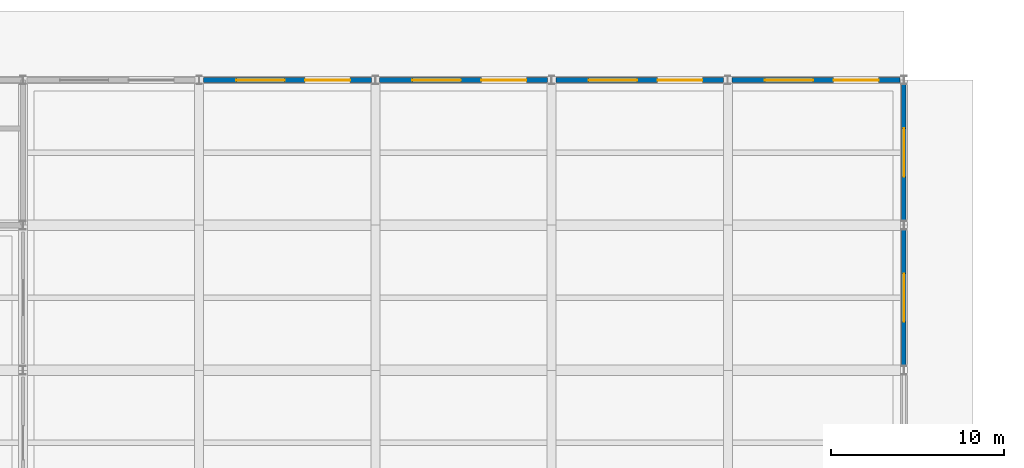
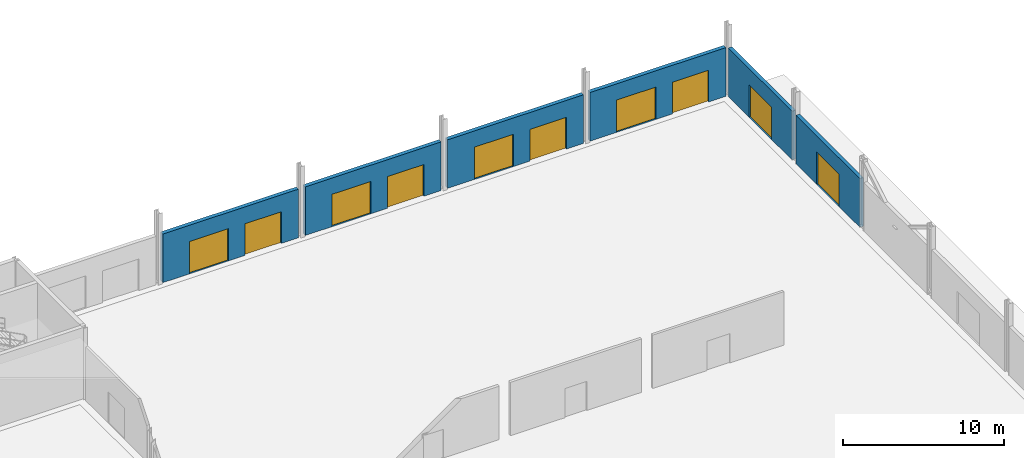
# One storey, part 99 of 124: 10 doors, 6 walls, 10 openings.
"""IFC4 building model written with IfcOpenShell, lengths in metres."""

from ifc_helpers import new_model, si_unit, direction, frame, frame_2d, origin, place, context, subcontext, project, spatial, rectangle, extrude, material, layer, layer_set, type_object, element, fill, save


model = new_model("IFC4")

# Units and contexts
model_context = context("Model", 3, precision=1e-05, world=origin(), true_north=direction((0.0, 1.0)))
body_context = subcontext(model_context, "Body", "Model", "MODEL_VIEW")
ifc_project = project(units=[si_unit("LENGTHUNIT", "METRE"), si_unit("AREAUNIT", "SQUARE_METRE"), si_unit("VOLUMEUNIT", "CUBIC_METRE"), si_unit("PLANEANGLEUNIT", "RADIAN"), si_unit("MASSUNIT", "GRAM", prefix="KILO")], contexts=[model_context])

# Site, building, storey
site_placement = place(None, origin())
site = spatial("IfcSite", under=ifc_project, at=site_placement, CompositionType="ELEMENT")
building_placement = place(site_placement, origin())
building = spatial("IfcBuilding", under=site, at=building_placement, Name="Brelvane Convention Centre", CompositionType="ELEMENT")
storey_placement = place(building_placement, origin())
storey = spatial("IfcBuildingStorey", under=building, at=storey_placement, Name="L00", CompositionType="ELEMENT", Elevation=0.0)

# Wall, openings, doors
ifc_material_1 = material(Name="Insulated Autoclaved Aerated Concrete Block Grade 1", Category="concrete")
ifc_layer_1 = layer(ifc_material_1, 0.280029296875)
ifc_layer_set_1 = layer_set([ifc_layer_1], Name="Insulated Autoclaved Aerated Concrete Block Grade 1")
wall_type_1 = type_object("IfcWallType", Name="Exterior Wall EW-01", PredefinedType="STANDARD", material=ifc_layer_set_1)
wall_1_placement = place(storey_placement, frame((183.840087890625, 144.0, 0.0), z_axis=(0.0, 0.0, 1.0), x_axis=(1.0, 0.0, 0.0)))
wall_1 = element("IfcWall", 1, at=wall_1_placement, inside=storey, type_object=wall_type_1, Name="Exterior Wall L00 V3N-L00-2", PredefinedType="STANDARD", context=body_context, shape_type="SweptSolid", body=[
    extrude(rectangle(XDim=9.719970703125, YDim=0.280029296875, at=frame_2d((4.85986328125, 0.0))), origin(), (0.0, 0.0, 1.0), 3.679931640625),
])
opening_1_placement = place(wall_1_placement, frame((1.905029296875, 0.0, 0.0)))
opening_1 = element("IfcOpeningElement", 2, at=opening_1_placement, cuts=wall_1, Name="Opening DR-EX-02", PredefinedType="OPENING", context=body_context, shape_type="SweptSolid", body=[
    extrude(rectangle(XDim=2.800048828125, YDim=2.449951171875, at=frame_2d((1.39990234375, 1.22509765625))), frame((0.0, 0.14990234375, 0.0), z_axis=(0.0, -1.0, 0.0), x_axis=(1.0, 0.0, 0.0)), (0.0, 0.0, 1.0), 0.300048828125),
])
opening_2_placement = place(wall_1_placement, frame((5.89306640625, 0.0, 0.0)))
opening_2 = element("IfcOpeningElement", 3, at=opening_2_placement, cuts=wall_1, Name="Opening DR-EX-03", PredefinedType="OPENING", context=body_context, shape_type="SweptSolid", body=[
    extrude(rectangle(XDim=2.60009765625, YDim=2.39990234375, at=frame_2d((1.300048828125, 1.199951171875))), frame((0.0, 0.14990234375, 0.0), z_axis=(0.0, -1.0, 0.0), x_axis=(1.0, 0.0, 0.0)), (0.0, 0.0, 1.0), 0.300048828125),
])
ifc_material_2 = material(Name="Anodised Aluminium Alloy 6063-T6", Category="aluminium")
door_type_1 = type_object("IfcDoorType", Name="Exterior Door DR-EX-02", OperationType="NOTDEFINED", PredefinedType="DOOR", material=ifc_material_2)
door_1_placement = place(opening_1_placement, origin())
door_1 = element("IfcDoor", 4, at=door_1_placement, inside=storey, type_object=door_type_1, Name="Final Exit Door BALL-N2A (DR-EX-02)", OperationType="DOUBLE_DOOR_SINGLE_SWING", OverallHeight=2.449951171875, OverallWidth=2.800048828125, PredefinedType="DOOR", context=body_context, shape_type="SweptSolid", body=[
    extrude(rectangle(XDim=2.800048828125, YDim=2.449951171875, at=frame_2d((1.39990234375, 1.22509765625))), frame((0.0, 0.02490234375, 0.0), z_axis=(0.0, -1.0, 0.0), x_axis=(1.0, 0.0, 0.0)), (0.0, 0.0, 1.0), 0.050048828125),
])
fill(opening_1, door_1)
ifc_material_3 = material(Name="Anodised Aluminium Alloy 6063-T6", Category="aluminium")
door_type_2 = type_object("IfcDoorType", Name="Exterior Door DR-EX-03", OperationType="NOTDEFINED", PredefinedType="DOOR", material=ifc_material_3)
door_2_placement = place(opening_2_placement, origin())
door_2 = element("IfcDoor", 5, at=door_2_placement, inside=storey, type_object=door_type_2, Name="Final Exit Door BALL-N2B (DR-EX-03)", OperationType="DOUBLE_DOOR_SINGLE_SWING", OverallHeight=2.39990234375, OverallWidth=2.60009765625, PredefinedType="DOOR", context=body_context, shape_type="SweptSolid", body=[
    extrude(rectangle(XDim=2.60009765625, YDim=2.39990234375, at=frame_2d((1.300048828125, 1.199951171875))), frame((0.0, 0.02490234375, 0.0), z_axis=(0.0, -1.0, 0.0), x_axis=(1.0, 0.0, 0.0)), (0.0, 0.0, 1.0), 0.050048828125),
])
fill(opening_2, door_2)

wall_2_placement = place(storey_placement, frame((194.0400390625, 144.0, 0.0), z_axis=(0.0, 0.0, 1.0), x_axis=(1.0, 0.0, 0.0)))
wall_2 = element("IfcWall", 6, at=wall_2_placement, inside=storey, type_object=wall_type_1, Name="Exterior Wall L00 V3N-L00-3", PredefinedType="STANDARD", context=body_context, shape_type="SweptSolid", body=[
    extrude(rectangle(XDim=9.719970703125, YDim=0.280029296875, at=frame_2d((4.85986328125, 0.0))), origin(), (0.0, 0.0, 1.0), 3.679931640625),
])
opening_3_placement = place(wall_2_placement, frame((1.905029296875, 0.0, 0.0)))
opening_3 = element("IfcOpeningElement", 7, at=opening_3_placement, cuts=wall_2, Name="Opening DR-EX-02", PredefinedType="OPENING", context=body_context, shape_type="SweptSolid", body=[
    extrude(rectangle(XDim=2.800048828125, YDim=2.449951171875, at=frame_2d((1.39990234375, 1.22509765625))), frame((0.0, 0.14990234375, 0.0), z_axis=(0.0, -1.0, 0.0), x_axis=(1.0, 0.0, 0.0)), (0.0, 0.0, 1.0), 0.300048828125),
])
opening_4_placement = place(wall_2_placement, frame((5.89306640625, 0.0, 0.0)))
opening_4 = element("IfcOpeningElement", 8, at=opening_4_placement, cuts=wall_2, Name="Opening DR-EX-03", PredefinedType="OPENING", context=body_context, shape_type="SweptSolid", body=[
    extrude(rectangle(XDim=2.60009765625, YDim=2.39990234375, at=frame_2d((1.300048828125, 1.199951171875))), frame((0.0, 0.14990234375, 0.0), z_axis=(0.0, -1.0, 0.0), x_axis=(1.0, 0.0, 0.0)), (0.0, 0.0, 1.0), 0.300048828125),
])
door_3_placement = place(opening_3_placement, origin())
door_3 = element("IfcDoor", 9, at=door_3_placement, inside=storey, type_object=door_type_1, Name="Final Exit Door BALL-N3A (DR-EX-02)", OperationType="DOUBLE_DOOR_SINGLE_SWING", OverallHeight=2.449951171875, OverallWidth=2.800048828125, PredefinedType="DOOR", context=body_context, shape_type="SweptSolid", body=[
    extrude(rectangle(XDim=2.800048828125, YDim=2.449951171875, at=frame_2d((1.39990234375, 1.22509765625))), frame((0.0, 0.02490234375, 0.0), z_axis=(0.0, -1.0, 0.0), x_axis=(1.0, 0.0, 0.0)), (0.0, 0.0, 1.0), 0.050048828125),
])
fill(opening_3, door_3)
door_4_placement = place(opening_4_placement, origin())
door_4 = element("IfcDoor", 10, at=door_4_placement, inside=storey, type_object=door_type_2, Name="Final Exit Door BALL-N3B (DR-EX-03)", OperationType="DOUBLE_DOOR_SINGLE_SWING", OverallHeight=2.39990234375, OverallWidth=2.60009765625, PredefinedType="DOOR", context=body_context, shape_type="SweptSolid", body=[
    extrude(rectangle(XDim=2.60009765625, YDim=2.39990234375, at=frame_2d((1.300048828125, 1.199951171875))), frame((0.0, 0.02490234375, 0.0), z_axis=(0.0, -1.0, 0.0), x_axis=(1.0, 0.0, 0.0)), (0.0, 0.0, 1.0), 0.050048828125),
])
fill(opening_4, door_4)

wall_3_placement = place(storey_placement, frame((204.239990234375, 144.0, 0.0), z_axis=(0.0, 0.0, 1.0), x_axis=(1.0, 0.0, 0.0)))
wall_3 = element("IfcWall", 11, at=wall_3_placement, inside=storey, type_object=wall_type_1, Name="Exterior Wall L00 V3N-L00-4", PredefinedType="STANDARD", context=body_context, shape_type="SweptSolid", body=[
    extrude(rectangle(XDim=9.719970703125, YDim=0.280029296875, at=frame_2d((4.85986328125, 0.0))), origin(), (0.0, 0.0, 1.0), 3.679931640625),
])
opening_5_placement = place(wall_3_placement, frame((1.905029296875, 0.0, 0.0)))
opening_5 = element("IfcOpeningElement", 12, at=opening_5_placement, cuts=wall_3, Name="Opening DR-EX-02", PredefinedType="OPENING", context=body_context, shape_type="SweptSolid", body=[
    extrude(rectangle(XDim=2.800048828125, YDim=2.449951171875, at=frame_2d((1.39990234375, 1.22509765625))), frame((0.0, 0.14990234375, 0.0), z_axis=(0.0, -1.0, 0.0), x_axis=(1.0, 0.0, 0.0)), (0.0, 0.0, 1.0), 0.300048828125),
])
opening_6_placement = place(wall_3_placement, frame((5.89306640625, 0.0, 0.0)))
opening_6 = element("IfcOpeningElement", 13, at=opening_6_placement, cuts=wall_3, Name="Opening DR-EX-03", PredefinedType="OPENING", context=body_context, shape_type="SweptSolid", body=[
    extrude(rectangle(XDim=2.60009765625, YDim=2.39990234375, at=frame_2d((1.300048828125, 1.199951171875))), frame((0.0, 0.14990234375, 0.0), z_axis=(0.0, -1.0, 0.0), x_axis=(1.0, 0.0, 0.0)), (0.0, 0.0, 1.0), 0.300048828125),
])
door_5_placement = place(opening_5_placement, origin())
door_5 = element("IfcDoor", 14, at=door_5_placement, inside=storey, type_object=door_type_1, Name="Final Exit Door BALL-N4A (DR-EX-02)", OperationType="DOUBLE_DOOR_SINGLE_SWING", OverallHeight=2.449951171875, OverallWidth=2.800048828125, PredefinedType="DOOR", context=body_context, shape_type="SweptSolid", body=[
    extrude(rectangle(XDim=2.800048828125, YDim=2.449951171875, at=frame_2d((1.39990234375, 1.22509765625))), frame((0.0, 0.02490234375, 0.0), z_axis=(0.0, -1.0, 0.0), x_axis=(1.0, 0.0, 0.0)), (0.0, 0.0, 1.0), 0.050048828125),
])
fill(opening_5, door_5)
door_6_placement = place(opening_6_placement, origin())
door_6 = element("IfcDoor", 15, at=door_6_placement, inside=storey, type_object=door_type_2, Name="Final Exit Door BALL-N4B (DR-EX-03)", OperationType="DOUBLE_DOOR_SINGLE_SWING", OverallHeight=2.39990234375, OverallWidth=2.60009765625, PredefinedType="DOOR", context=body_context, shape_type="SweptSolid", body=[
    extrude(rectangle(XDim=2.60009765625, YDim=2.39990234375, at=frame_2d((1.300048828125, 1.199951171875))), frame((0.0, 0.02490234375, 0.0), z_axis=(0.0, -1.0, 0.0), x_axis=(1.0, 0.0, 0.0)), (0.0, 0.0, 1.0), 0.050048828125),
])
fill(opening_6, door_6)

wall_4_placement = place(storey_placement, frame((214.43994140625, 144.0, 0.0), z_axis=(0.0, 0.0, 1.0), x_axis=(1.0, 0.0, 0.0)))
wall_4 = element("IfcWall", 16, at=wall_4_placement, inside=storey, type_object=wall_type_1, Name="Exterior Wall L00 V3N-L00-5", PredefinedType="STANDARD", context=body_context, shape_type="SweptSolid", body=[
    extrude(rectangle(XDim=9.719970703125, YDim=0.280029296875, at=frame_2d((4.85986328125, 0.0))), origin(), (0.0, 0.0, 1.0), 3.679931640625),
])
opening_7_placement = place(wall_4_placement, frame((1.905029296875, 0.0, 0.0)))
opening_7 = element("IfcOpeningElement", 17, at=opening_7_placement, cuts=wall_4, Name="Opening DR-EX-02", PredefinedType="OPENING", context=body_context, shape_type="SweptSolid", body=[
    extrude(rectangle(XDim=2.800048828125, YDim=2.449951171875, at=frame_2d((1.39990234375, 1.22509765625))), frame((0.0, 0.14990234375, 0.0), z_axis=(0.0, -1.0, 0.0), x_axis=(1.0, 0.0, 0.0)), (0.0, 0.0, 1.0), 0.300048828125),
])
opening_8_placement = place(wall_4_placement, frame((5.89306640625, 0.0, 0.0)))
opening_8 = element("IfcOpeningElement", 18, at=opening_8_placement, cuts=wall_4, Name="Opening DR-EX-03", PredefinedType="OPENING", context=body_context, shape_type="SweptSolid", body=[
    extrude(rectangle(XDim=2.60009765625, YDim=2.39990234375, at=frame_2d((1.300048828125, 1.199951171875))), frame((0.0, 0.14990234375, 0.0), z_axis=(0.0, -1.0, 0.0), x_axis=(1.0, 0.0, 0.0)), (0.0, 0.0, 1.0), 0.300048828125),
])
door_7_placement = place(opening_7_placement, origin())
door_7 = element("IfcDoor", 19, at=door_7_placement, inside=storey, type_object=door_type_1, Name="Final Exit Door BALL-N5A (DR-EX-02)", OperationType="DOUBLE_DOOR_SINGLE_SWING", OverallHeight=2.449951171875, OverallWidth=2.800048828125, PredefinedType="DOOR", context=body_context, shape_type="SweptSolid", body=[
    extrude(rectangle(XDim=2.800048828125, YDim=2.449951171875, at=frame_2d((1.39990234375, 1.22509765625))), frame((0.0, 0.02490234375, 0.0), z_axis=(0.0, -1.0, 0.0), x_axis=(1.0, 0.0, 0.0)), (0.0, 0.0, 1.0), 0.050048828125),
])
fill(opening_7, door_7)
door_8_placement = place(opening_8_placement, origin())
door_8 = element("IfcDoor", 20, at=door_8_placement, inside=storey, type_object=door_type_2, Name="Final Exit Door BALL-N5B (DR-EX-03)", OperationType="DOUBLE_DOOR_SINGLE_SWING", OverallHeight=2.39990234375, OverallWidth=2.60009765625, PredefinedType="DOOR", context=body_context, shape_type="SweptSolid", body=[
    extrude(rectangle(XDim=2.60009765625, YDim=2.39990234375, at=frame_2d((1.300048828125, 1.199951171875))), frame((0.0, 0.02490234375, 0.0), z_axis=(0.0, -1.0, 0.0), x_axis=(1.0, 0.0, 0.0)), (0.0, 0.0, 1.0), 0.050048828125),
])
fill(opening_8, door_8)

# Wall, opening, door
ifc_material_4 = material(Name="Insulated Autoclaved Aerated Concrete Block Grade 1", Category="concrete")
ifc_layer_2 = layer(ifc_material_4, 0.260009765625)
ifc_layer_set_2 = layer_set([ifc_layer_2], Name="Insulated Autoclaved Aerated Concrete Block Grade 1")
wall_type_2 = type_object("IfcWallType", Name="Exterior Wall EW-02", PredefinedType="STANDARD", material=ifc_layer_set_2)
wall_5_placement = place(storey_placement, frame((224.39990234375, 127.43994140625, 0.0), z_axis=(0.0, 0.0, 1.0), x_axis=(0.0, 1.0, 0.0)))
wall_5 = element("IfcWall", 21, at=wall_5_placement, inside=storey, type_object=wall_type_2, Name="Exterior Wall L00 V3E-L00-4", PredefinedType="STANDARD", context=body_context, shape_type="SweptSolid", body=[
    extrude(rectangle(XDim=7.920166015625, YDim=0.260009765625, at=frame_2d((3.9599609375, 0.0))), origin(), (0.0, 0.0, 1.0), 3.679931640625),
])
opening_9_placement = place(wall_5_placement, frame((2.56005859375, 0.0, 0.0)))
opening_9 = element("IfcOpeningElement", 22, at=opening_9_placement, cuts=wall_5, Name="Opening DR-EX-02", PredefinedType="OPENING", context=body_context, shape_type="SweptSolid", body=[
    extrude(rectangle(XDim=2.800048828125, YDim=2.449951171875, at=frame_2d((1.39990234375, 1.22509765625))), frame((0.0, 0.139892578125, 0.0), z_axis=(0.0, -1.0, 0.0), x_axis=(1.0, 0.0, 0.0)), (0.0, 0.0, 1.0), 0.280029296875),
])
door_9_placement = place(opening_9_placement, frame((2.800048828125, 0.0, 0.0), z_axis=(0.0, 0.0, 1.0), x_axis=(-1.0, 0.0, 0.0)))
door_9 = element("IfcDoor", 23, at=door_9_placement, inside=storey, type_object=door_type_1, Name="Final Exit Door BALL-E4 (DR-EX-02)", OperationType="DOUBLE_DOOR_SINGLE_SWING", OverallHeight=2.449951171875, OverallWidth=2.800048828125, PredefinedType="DOOR", context=body_context, shape_type="SweptSolid", body=[
    extrude(rectangle(XDim=2.800048828125, YDim=2.449951171875, at=frame_2d((1.39990234375, 1.22509765625))), frame((0.0, 0.02490234375, 0.0), z_axis=(0.0, -1.0, 0.0), x_axis=(1.0, 0.0, 0.0)), (0.0, 0.0, 1.0), 0.050048828125),
])
fill(opening_9, door_9)

wall_6_placement = place(storey_placement, frame((224.39990234375, 135.840087890625, 0.0), z_axis=(0.0, 0.0, 1.0), x_axis=(0.0, 1.0, 0.0)))
wall_6 = element("IfcWall", 24, at=wall_6_placement, inside=storey, type_object=wall_type_2, Name="Exterior Wall L00 V3E-L00-5", PredefinedType="STANDARD", context=body_context, shape_type="SweptSolid", body=[
    extrude(rectangle(XDim=7.919921875, YDim=0.260009765625, at=frame_2d((3.9599609375, 0.0))), origin(), (0.0, 0.0, 1.0), 3.679931640625),
])
opening_10_placement = place(wall_6_placement, frame((2.56005859375, 0.0, 0.0)))
opening_10 = element("IfcOpeningElement", 25, at=opening_10_placement, cuts=wall_6, Name="Opening DR-EX-02", PredefinedType="OPENING", context=body_context, shape_type="SweptSolid", body=[
    extrude(rectangle(XDim=2.800048828125, YDim=2.449951171875, at=frame_2d((1.39990234375, 1.22509765625))), frame((0.0, 0.139892578125, 0.0), z_axis=(0.0, -1.0, 0.0), x_axis=(1.0, 0.0, 0.0)), (0.0, 0.0, 1.0), 0.280029296875),
])
door_10_placement = place(opening_10_placement, frame((2.800048828125, 0.0, 0.0), z_axis=(0.0, 0.0, 1.0), x_axis=(-1.0, 0.0, 0.0)))
door_10 = element("IfcDoor", 26, at=door_10_placement, inside=storey, type_object=door_type_1, Name="Final Exit Door BALL-E5 (DR-EX-02)", OperationType="DOUBLE_DOOR_SINGLE_SWING", OverallHeight=2.449951171875, OverallWidth=2.800048828125, PredefinedType="DOOR", context=body_context, shape_type="SweptSolid", body=[
    extrude(rectangle(XDim=2.800048828125, YDim=2.449951171875, at=frame_2d((1.39990234375, 1.22509765625))), frame((0.0, 0.02490234375, 0.0), z_axis=(0.0, -1.0, 0.0), x_axis=(1.0, 0.0, 0.0)), (0.0, 0.0, 1.0), 0.050048828125),
])
fill(opening_10, door_10)

save(model, "model.ifc")
